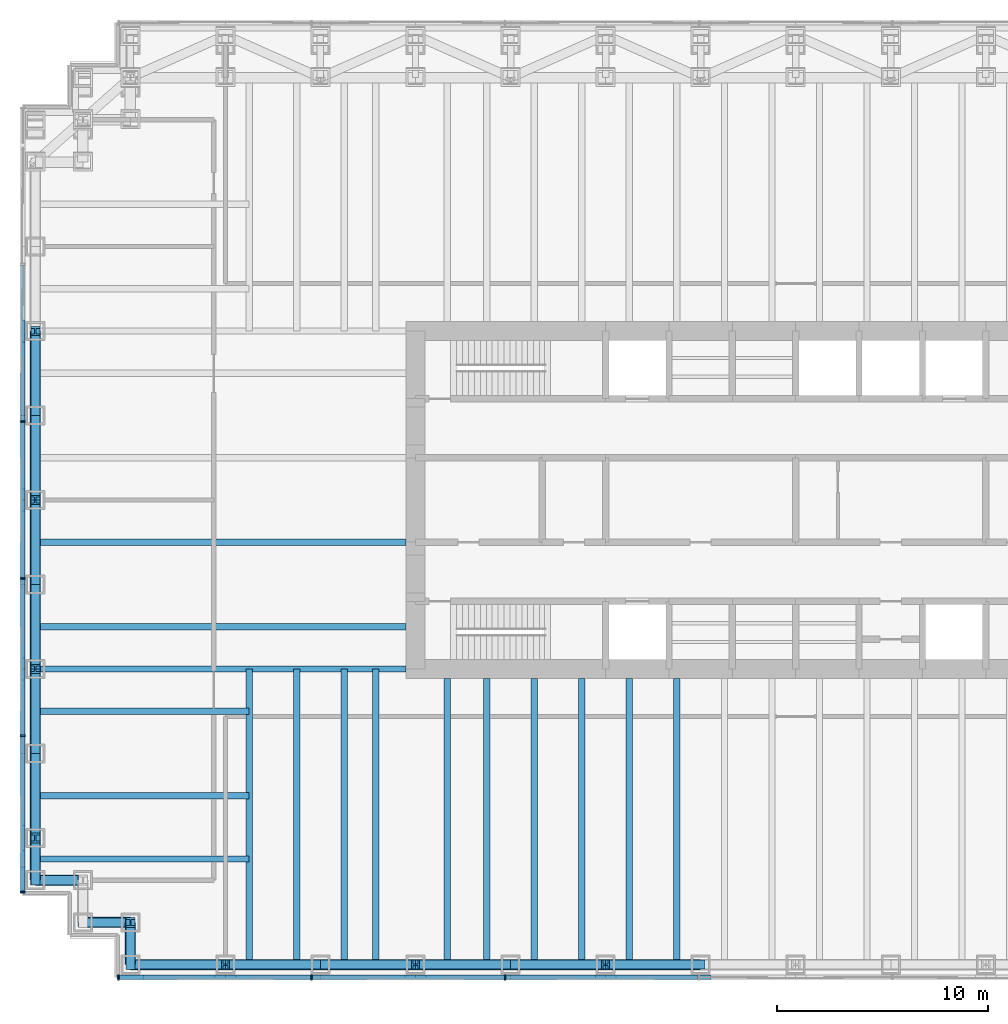
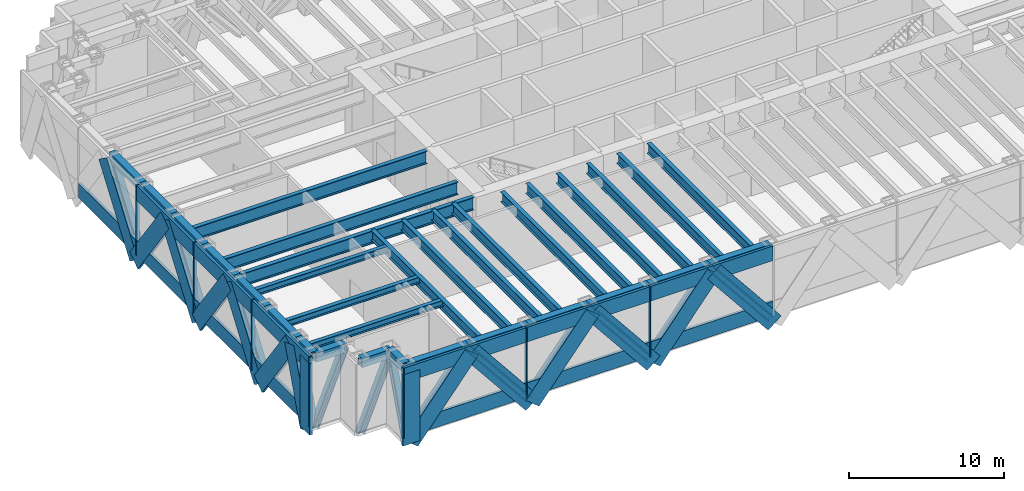
# One storey, part 2 of 16: 51 members, 32 beams, 2 elements without a shape of their own.
"""IFC4 building model written with IfcOpenShell, lengths in metres."""

from ifc_helpers import new_model, si_unit, direction, frame, origin, origin_2d, place, context, subcontext, project, spatial, rectangle, hollow_rectangle, i_section, extrude, material, material_profile, profile_set, type_object, element, aggregate, save


model = new_model("IFC4")

# Units and contexts
model_context = context("Model", 3, precision=1e-05, world=origin(), true_north=direction((0.0, 1.0)))
body_context = subcontext(model_context, "Body", "Model", "MODEL_VIEW")
ifc_project = project(units=[si_unit("LENGTHUNIT", "METRE"), si_unit("AREAUNIT", "SQUARE_METRE"), si_unit("VOLUMEUNIT", "CUBIC_METRE"), si_unit("PLANEANGLEUNIT", "RADIAN"), si_unit("MASSUNIT", "GRAM", prefix="KILO")], contexts=[model_context])

# Site, building, storey
site_placement = place(None, origin())
site = spatial("IfcSite", under=ifc_project, at=site_placement, CompositionType="ELEMENT")
building_placement = place(site_placement, origin())
building = spatial("IfcBuilding", under=site, at=building_placement, Name="Rheinbord Bourse Tower", CompositionType="ELEMENT")
storey_placement = place(building_placement, frame((0.0, 0.0, 180.300048828125)))
storey = spatial("IfcBuildingStorey", under=building, at=storey_placement, Name="L40", CompositionType="ELEMENT", Elevation=180.300048828125)

# Beams
ifc_material_1 = material(Name="Steel S460M", Category="steel")
ifc_material_profile_1 = material_profile(ifc_material_1, hollow_rectangle(XDim=0.5, YDim=0.699951171875, WallThickness=0.0400390625, at=origin_2d()), Name="BOX 700x500x40")
ifc_profile_set_1 = profile_set([ifc_material_profile_1], Name="Steel S460M")
beam_type_1 = type_object("IfcBeamType", Name="BELT CHORD BOX 700x500x40", PredefinedType="SPANDREL", material=ifc_profile_set_1)
for number, where, z_axis, x_axis, name in (
    (1, (4.5, 2.0, 4.989990234375), (1.0, 0.0, 0.0), (0.0, 1.0, 0.0), "Spandrel SW-E-S-9 under L41"),
    (2, (9.0, 2.0, 4.989990234375), (1.0, 0.0, 0.0), (0.0, 1.0, 0.0), "Spandrel S-9-S-13.5 under L41"),
    (3, (13.5, 2.0, 4.989990234375), (1.0, 0.0, 0.0), (0.0, 1.0, 0.0), "Spandrel S-13.5-S-18 under L41"),
    (4, (18.0, 2.0, 4.989990234375), (1.0, 0.0, 0.0), (0.0, 1.0, 0.0), "Spandrel S-18-S-22.5 under L41"),
    (5, (22.5, 2.0, 4.989990234375), (1.0, 0.0, 0.0), (0.0, 1.0, 0.0), "Spandrel S-22.5-S-27 under L41"),
    (6, (27.0, 2.0, 4.989990234375), (1.0, 0.0, 0.0), (0.0, 1.0, 0.0), "Spandrel S-27-S-31.5 under L41"),
):
    element("IfcBeam", number, at=place(storey_placement, frame(where, z_axis=z_axis, x_axis=x_axis)), inside=storey, type_object=beam_type_1, Name=name, PredefinedType="SPANDREL", context=body_context, shape_type="SweptSolid", body=[
        extrude(hollow_rectangle(XDim=0.5, YDim=0.699951171875, WallThickness=0.0400390625, at=origin_2d()), origin(), (0.0, 0.0, 1.0), 4.5),
    ])
for number, where, z_axis, x_axis, name in (
    (7, (0.0, 32.0, 4.989990234375), (0.0, -1.0, 0.0), (1.0, 0.0, 0.0), "Spandrel W-32-W-28 under L41"),
    (8, (0.0, 28.0, 4.989990234375), (0.0, -1.0, 0.0), (1.0, 0.0, 0.0), "Spandrel W-28-W-24 under L41"),
    (9, (0.0, 24.0, 4.989990234375), (0.0, -1.0, 0.0), (1.0, 0.0, 0.0), "Spandrel W-24-W-20 under L41"),
    (10, (0.0, 20.0, 4.989990234375), (0.0, -1.0, 0.0), (1.0, 0.0, 0.0), "Spandrel W-20-W-16 under L41"),
    (11, (0.0, 16.0, 4.989990234375), (0.0, -1.0, 0.0), (1.0, 0.0, 0.0), "Spandrel W-16-W-12 under L41"),
    (12, (0.0, 12.0, 4.989990234375), (0.0, -1.0, 0.0), (1.0, 0.0, 0.0), "Spandrel W-12-W-8 under L41"),
):
    element("IfcBeam", number, at=place(storey_placement, frame(where, z_axis=z_axis, x_axis=x_axis)), inside=storey, type_object=beam_type_1, Name=name, PredefinedType="SPANDREL", context=body_context, shape_type="SweptSolid", body=[
        extrude(hollow_rectangle(XDim=0.5, YDim=0.699951171875, WallThickness=0.0400390625, at=origin_2d()), origin(), (0.0, 0.0, 1.0), 4.0),
    ])
beam_1_placement = place(storey_placement, frame((0.0, 8.0, 4.989990234375), z_axis=(0.0, -1.0, 0.0), x_axis=(1.0, 0.0, 0.0)))
element("IfcBeam", 13, at=beam_1_placement, inside=storey, type_object=beam_type_1, Name="Spandrel W-8-SW-A under L41", PredefinedType="SPANDREL", context=body_context, shape_type="SweptSolid", body=[
    extrude(hollow_rectangle(XDim=0.5, YDim=0.699951171875, WallThickness=0.0400390625, at=origin_2d()), origin(), (0.0, 0.0, 1.0), 2.0),
])
for number, where, z_axis, x_axis, name in (
    (14, (0.0, 6.0, 4.989990234375), (1.0, 0.0, 0.0), (0.0, 1.0, 0.0), "Spandrel SW-A-SW-B under L41"),
    (15, (2.25, 4.0, 4.989990234375), (1.0, 0.0, 0.0), (0.0, 1.0, 0.0), "Spandrel SW-C-SW-D under L41"),
):
    element("IfcBeam", number, at=place(storey_placement, frame(where, z_axis=z_axis, x_axis=x_axis)), inside=storey, type_object=beam_type_1, Name=name, PredefinedType="SPANDREL", context=body_context, shape_type="SweptSolid", body=[
        extrude(hollow_rectangle(XDim=0.5, YDim=0.699951171875, WallThickness=0.0400390625, at=origin_2d()), origin(), (0.0, 0.0, 1.0), 2.25),
    ])
beam_2_placement = place(storey_placement, frame((4.5, 4.0, 4.989990234375), z_axis=(0.0, -1.0, 0.0), x_axis=(1.0, 0.0, 0.0)))
element("IfcBeam", 16, at=beam_2_placement, inside=storey, type_object=beam_type_1, Name="Spandrel SW-D-SW-E under L41", PredefinedType="SPANDREL", context=body_context, shape_type="SweptSolid", body=[
    extrude(hollow_rectangle(XDim=0.5, YDim=0.699951171875, WallThickness=0.0400390625, at=origin_2d()), origin(), (0.0, 0.0, 1.0), 2.0),
])

# Members
ifc_material_2 = material(Name="Steel S460", Category="steel")
ifc_material_profile_2 = material_profile(ifc_material_2, i_section(OverallWidth=0.431884765625, OverallDepth=0.498046875, WebThickness=0.0556640625, FlangeThickness=0.0888671875, at=origin_2d()), Name="HD 400x744")
ifc_profile_set_2 = profile_set([ifc_material_profile_2], Name="Steel S460")
member_type_1 = type_object("IfcMemberType", Name="BELT DIAGONAL HD 400x744", PredefinedType="STRUT", material=ifc_profile_set_2)
for number, where, z_axis, x_axis, name in (
    (17, (4.5, 2.0, -0.60009765625), (0.627065297878, 0.0, 0.778966695178), (0.0, 1.0, 0.0), "Belt truss diagonal SW-E-S-9 L40"),
    (18, (13.5, 2.0, -0.60009765625), (-0.627065297878, 0.0, 0.778966695178), (0.0, -1.0, 0.0), "Belt truss diagonal S-9-S-13.5 L40"),
    (19, (13.5, 2.0, -0.60009765625), (0.627065297878, 0.0, 0.778966695178), (0.0, 1.0, 0.0), "Belt truss diagonal S-13.5-S-18 L40"),
    (20, (22.5, 2.0, -0.60009765625), (-0.627065297878, 0.0, 0.778966695178), (0.0, -1.0, 0.0), "Belt truss diagonal S-18-S-22.5 L40"),
    (21, (22.5, 2.0, -0.60009765625), (0.627065297878, 0.0, 0.778966695178), (0.0, 1.0, 0.0), "Belt truss diagonal S-22.5-S-27 L40"),
    (22, (31.5, 2.0, -0.60009765625), (-0.627065297878, 0.0, 0.778966695178), (0.0, -1.0, 0.0), "Belt truss diagonal S-27-S-31.5 L40"),
):
    element("IfcMember", number, at=place(storey_placement, frame(where, z_axis=z_axis, x_axis=x_axis)), inside=storey, type_object=member_type_1, Name=name, PredefinedType="STRUT", context=body_context, shape_type="SweptSolid", body=[
        extrude(i_section(OverallWidth=0.431884765625, OverallDepth=0.498046875, WebThickness=0.0556640625, FlangeThickness=0.0888671875, at=origin_2d()), origin(), (0.0, 0.0, 1.0), 7.17626953125),
    ])
for number, where, z_axis, x_axis, name in (
    (23, (0.0, 28.0, -0.60009765625), (0.0, 0.581920023079, 0.813246018582), (-1.0, 0.0, 0.0), "Belt truss diagonal W-32-W-28 L40"),
    (24, (0.0, 28.0, -0.60009765625), (0.0, -0.581920023079, 0.813246018582), (1.0, 0.0, 0.0), "Belt truss diagonal W-28-W-24 L40"),
    (25, (0.0, 20.0, -0.60009765625), (0.0, 0.581920023079, 0.813246018582), (-1.0, 0.0, 0.0), "Belt truss diagonal W-24-W-20 L40"),
    (26, (0.0, 20.0, -0.60009765625), (0.0, -0.581920023079, 0.813246018582), (1.0, 0.0, 0.0), "Belt truss diagonal W-20-W-16 L40"),
    (27, (0.0, 12.0, -0.60009765625), (0.0, 0.581920023079, 0.813246018582), (-1.0, 0.0, 0.0), "Belt truss diagonal W-16-W-12 L40"),
    (28, (0.0, 12.0, -0.60009765625), (0.0, -0.581920023079, 0.813246018582), (1.0, 0.0, 0.0), "Belt truss diagonal W-12-W-8 L40"),
):
    element("IfcMember", number, at=place(storey_placement, frame(where, z_axis=z_axis, x_axis=x_axis)), inside=storey, type_object=member_type_1, Name=name, PredefinedType="STRUT", context=body_context, shape_type="SweptSolid", body=[
        extrude(i_section(OverallWidth=0.431884765625, OverallDepth=0.498046875, WebThickness=0.0556640625, FlangeThickness=0.0888671875, at=origin_2d()), origin(), (0.0, 0.0, 1.0), 6.873779296875),
    ])
member_1_placement = place(storey_placement, frame((0.0, 6.0, -0.60009765625), z_axis=(0.0, 0.336865151883, 0.941552903159), x_axis=(-1.0, 0.0, 0.0)))
element("IfcMember", 29, at=member_1_placement, inside=storey, type_object=member_type_1, Name="Belt truss diagonal W-8-SW-A L40", PredefinedType="STRUT", context=body_context, shape_type="SweptSolid", body=[
    extrude(i_section(OverallWidth=0.431884765625, OverallDepth=0.498046875, WebThickness=0.0556640625, FlangeThickness=0.0888671875, at=origin_2d()), origin(), (0.0, 0.0, 1.0), 5.93701171875),
])
for number, where, z_axis, x_axis, name in (
    (30, (0.0, 6.0, -0.60009765625), (0.37338763268, 0.0, 0.92767541509), (0.0, 1.0, 0.0), "Belt truss diagonal SW-A-SW-B L40"),
    (31, (2.25, 4.0, -0.60009765625), (0.37338763268, 0.0, 0.92767541509), (0.0, 1.0, 0.0), "Belt truss diagonal SW-C-SW-D L40"),
):
    element("IfcMember", number, at=place(storey_placement, frame(where, z_axis=z_axis, x_axis=x_axis)), inside=storey, type_object=member_type_1, Name=name, PredefinedType="STRUT", context=body_context, shape_type="SweptSolid", body=[
        extrude(i_section(OverallWidth=0.431884765625, OverallDepth=0.498046875, WebThickness=0.0556640625, FlangeThickness=0.0888671875, at=origin_2d()), origin(), (0.0, 0.0, 1.0), 6.02587890625),
    ])
member_2_placement = place(storey_placement, frame((4.5, 2.0, -0.60009765625), z_axis=(0.0, 0.336865151883, 0.941552903159), x_axis=(-1.0, 0.0, 0.0)))
element("IfcMember", 32, at=member_2_placement, inside=storey, type_object=member_type_1, Name="Belt truss diagonal SW-D-SW-E L40", PredefinedType="STRUT", context=body_context, shape_type="SweptSolid", body=[
    extrude(i_section(OverallWidth=0.431884765625, OverallDepth=0.498046875, WebThickness=0.0556640625, FlangeThickness=0.0888671875, at=origin_2d()), origin(), (0.0, 0.0, 1.0), 5.93701171875),
])

# Curtain wall, members
ifc_material_3 = material(Name="Dark glass and black aluminium", Category="aluminium")
curtain_wall_type = type_object("IfcCurtainWallType", Name="CW5 DARK GLASS CURTAIN WALL", PredefinedType="USERDEFINED", material=ifc_material_3)
curtain_wall_1_placement = place(storey_placement, origin())
curtain_wall_1 = element("IfcCurtainWall", 33, at=curtain_wall_1_placement, inside=storey, type_object=curtain_wall_type, Name="Curtain wall CW5 S L40", ObjectType="UNITISED CURTAIN WALL", PredefinedType="USERDEFINED")
ifc_material_4 = material(Name="Black anodised aluminium", Category="aluminium")
ifc_material_profile_3 = material_profile(ifc_material_4, rectangle(XDim=0.199951171875, YDim=1.259033203125, at=origin_2d()), Name="CW5 DIAGONAL MULLION 1259x200")
ifc_profile_set_3 = profile_set([ifc_material_profile_3], Name="Black anodised aluminium")
member_type_2 = type_object("IfcMemberType", Name="CW5 BLACK DIAGONAL MULLION", PredefinedType="USERDEFINED", material=ifc_profile_set_3)
member_3_placement = place(storey_placement, frame((4.5, 1.39990234375, -0.60009765625), z_axis=(0.627065297878, 0.0, 0.778966695178), x_axis=(0.0, 1.0, 0.0)))
member_3 = element("IfcMember", 34, at=member_3_placement, type_object=member_type_2, Name="CW5 diagonal mullion belt SW-E", ObjectType="DIAGONAL MULLION", PredefinedType="USERDEFINED", context=body_context, shape_type="SweptSolid", body=[
    extrude(rectangle(XDim=0.199951171875, YDim=1.259033203125, at=origin_2d()), origin(), (0.0, 0.0, 1.0), 7.17626953125),
])
member_4_placement = place(storey_placement, frame((13.5, 1.39990234375, -0.60009765625), z_axis=(-0.627065297878, 0.0, 0.778966695178), x_axis=(0.0, -1.0, 0.0)))
member_4 = element("IfcMember", 35, at=member_4_placement, type_object=member_type_2, Name="CW5 diagonal mullion belt S-9", ObjectType="DIAGONAL MULLION", PredefinedType="USERDEFINED", context=body_context, shape_type="SweptSolid", body=[
    extrude(rectangle(XDim=0.199951171875, YDim=1.259033203125, at=origin_2d()), origin(), (0.0, 0.0, 1.0), 7.17626953125),
])
member_5_placement = place(storey_placement, frame((13.5, 1.39990234375, -0.60009765625), z_axis=(0.627065297878, 0.0, 0.778966695178), x_axis=(0.0, 1.0, 0.0)))
member_5 = element("IfcMember", 36, at=member_5_placement, type_object=member_type_2, Name="CW5 diagonal mullion belt S-13.5", ObjectType="DIAGONAL MULLION", PredefinedType="USERDEFINED", context=body_context, shape_type="SweptSolid", body=[
    extrude(rectangle(XDim=0.199951171875, YDim=1.259033203125, at=origin_2d()), origin(), (0.0, 0.0, 1.0), 7.17626953125),
])
member_6_placement = place(storey_placement, frame((22.5, 1.39990234375, -0.60009765625), z_axis=(-0.627065297878, 0.0, 0.778966695178), x_axis=(0.0, -1.0, 0.0)))
member_6 = element("IfcMember", 37, at=member_6_placement, type_object=member_type_2, Name="CW5 diagonal mullion belt S-18", ObjectType="DIAGONAL MULLION", PredefinedType="USERDEFINED", context=body_context, shape_type="SweptSolid", body=[
    extrude(rectangle(XDim=0.199951171875, YDim=1.259033203125, at=origin_2d()), origin(), (0.0, 0.0, 1.0), 7.17626953125),
])
member_7_placement = place(storey_placement, frame((22.5, 1.39990234375, -0.60009765625), z_axis=(0.627065297878, 0.0, 0.778966695178), x_axis=(0.0, 1.0, 0.0)))
member_7 = element("IfcMember", 38, at=member_7_placement, type_object=member_type_2, Name="CW5 diagonal mullion belt S-22.5", ObjectType="DIAGONAL MULLION", PredefinedType="USERDEFINED", context=body_context, shape_type="SweptSolid", body=[
    extrude(rectangle(XDim=0.199951171875, YDim=1.259033203125, at=origin_2d()), origin(), (0.0, 0.0, 1.0), 7.17626953125),
])
member_8_placement = place(storey_placement, frame((31.5, 1.39990234375, -0.60009765625), z_axis=(-0.627065297878, 0.0, 0.778966695178), x_axis=(0.0, -1.0, 0.0)))
member_8 = element("IfcMember", 39, at=member_8_placement, type_object=member_type_2, Name="CW5 diagonal mullion belt S-27", ObjectType="DIAGONAL MULLION", PredefinedType="USERDEFINED", context=body_context, shape_type="SweptSolid", body=[
    extrude(rectangle(XDim=0.199951171875, YDim=1.259033203125, at=origin_2d()), origin(), (0.0, 0.0, 1.0), 7.17626953125),
])
member_9_placement = place(storey_placement, frame((4.5, 1.39990234375, -0.60009765625), z_axis=(0.0, 0.0, 1.0), x_axis=(0.0, 1.0, 0.0)))
member_9 = element("IfcMember", 40, at=member_9_placement, type_object=member_type_2, Name="CW5 diagonal mullion belt SW-D", ObjectType="DIAGONAL MULLION", PredefinedType="USERDEFINED", context=body_context, shape_type="SweptSolid", body=[
    extrude(rectangle(XDim=0.199951171875, YDim=1.259033203125, at=origin_2d()), origin(), (0.0, 0.0, 1.0), 5.590087890625),
])

curtain_wall_2_placement = place(storey_placement, origin())
curtain_wall_2 = element("IfcCurtainWall", 41, at=curtain_wall_2_placement, inside=storey, type_object=curtain_wall_type, Name="Curtain wall CW5 W L40", ObjectType="UNITISED CURTAIN WALL", PredefinedType="USERDEFINED")
member_10_placement = place(storey_placement, frame((-0.60009765625, 28.0, -0.60009765625), z_axis=(0.0, 0.581920023079, 0.813246018582), x_axis=(-1.0, 0.0, 0.0)))
member_10 = element("IfcMember", 42, at=member_10_placement, type_object=member_type_2, Name="CW5 diagonal mullion belt W-32", ObjectType="DIAGONAL MULLION", PredefinedType="USERDEFINED", context=body_context, shape_type="SweptSolid", body=[
    extrude(rectangle(XDim=0.199951171875, YDim=1.259033203125, at=origin_2d()), origin(), (0.0, 0.0, 1.0), 6.873779296875),
])
member_11_placement = place(storey_placement, frame((-0.60009765625, 28.0, -0.60009765625), z_axis=(0.0, -0.581920023079, 0.813246018582), x_axis=(1.0, 0.0, 0.0)))
member_11 = element("IfcMember", 43, at=member_11_placement, type_object=member_type_2, Name="CW5 diagonal mullion belt W-28", ObjectType="DIAGONAL MULLION", PredefinedType="USERDEFINED", context=body_context, shape_type="SweptSolid", body=[
    extrude(rectangle(XDim=0.199951171875, YDim=1.259033203125, at=origin_2d()), origin(), (0.0, 0.0, 1.0), 6.873779296875),
])
member_12_placement = place(storey_placement, frame((-0.60009765625, 20.0, -0.60009765625), z_axis=(0.0, 0.581920023079, 0.813246018582), x_axis=(-1.0, 0.0, 0.0)))
member_12 = element("IfcMember", 44, at=member_12_placement, type_object=member_type_2, Name="CW5 diagonal mullion belt W-24", ObjectType="DIAGONAL MULLION", PredefinedType="USERDEFINED", context=body_context, shape_type="SweptSolid", body=[
    extrude(rectangle(XDim=0.199951171875, YDim=1.259033203125, at=origin_2d()), origin(), (0.0, 0.0, 1.0), 6.873779296875),
])
member_13_placement = place(storey_placement, frame((-0.60009765625, 20.0, -0.60009765625), z_axis=(0.0, -0.581920023079, 0.813246018582), x_axis=(1.0, 0.0, 0.0)))
member_13 = element("IfcMember", 45, at=member_13_placement, type_object=member_type_2, Name="CW5 diagonal mullion belt W-20", ObjectType="DIAGONAL MULLION", PredefinedType="USERDEFINED", context=body_context, shape_type="SweptSolid", body=[
    extrude(rectangle(XDim=0.199951171875, YDim=1.259033203125, at=origin_2d()), origin(), (0.0, 0.0, 1.0), 6.873779296875),
])
member_14_placement = place(storey_placement, frame((-0.60009765625, 12.0, -0.60009765625), z_axis=(0.0, 0.581920023079, 0.813246018582), x_axis=(-1.0, 0.0, 0.0)))
member_14 = element("IfcMember", 46, at=member_14_placement, type_object=member_type_2, Name="CW5 diagonal mullion belt W-16", ObjectType="DIAGONAL MULLION", PredefinedType="USERDEFINED", context=body_context, shape_type="SweptSolid", body=[
    extrude(rectangle(XDim=0.199951171875, YDim=1.259033203125, at=origin_2d()), origin(), (0.0, 0.0, 1.0), 6.873779296875),
])
member_15_placement = place(storey_placement, frame((-0.60009765625, 12.0, -0.60009765625), z_axis=(0.0, -0.581920023079, 0.813246018582), x_axis=(1.0, 0.0, 0.0)))
member_15 = element("IfcMember", 47, at=member_15_placement, type_object=member_type_2, Name="CW5 diagonal mullion belt W-12", ObjectType="DIAGONAL MULLION", PredefinedType="USERDEFINED", context=body_context, shape_type="SweptSolid", body=[
    extrude(rectangle(XDim=0.199951171875, YDim=1.259033203125, at=origin_2d()), origin(), (0.0, 0.0, 1.0), 6.873779296875),
])
member_16_placement = place(storey_placement, frame((-0.60009765625, 6.0, -0.60009765625), z_axis=(0.0, 0.336865151883, 0.941552903159), x_axis=(-1.0, 0.0, 0.0)))
member_16 = element("IfcMember", 48, at=member_16_placement, type_object=member_type_2, Name="CW5 diagonal mullion belt W-8", ObjectType="DIAGONAL MULLION", PredefinedType="USERDEFINED", context=body_context, shape_type="SweptSolid", body=[
    extrude(rectangle(XDim=0.199951171875, YDim=1.259033203125, at=origin_2d()), origin(), (0.0, 0.0, 1.0), 5.93701171875),
])
member_17_placement = place(storey_placement, frame((-0.60009765625, 6.0, -0.60009765625), z_axis=(0.0, 0.0, 1.0), x_axis=(1.0, 0.0, 0.0)))
member_17 = element("IfcMember", 49, at=member_17_placement, type_object=member_type_2, Name="CW5 diagonal mullion belt SW-A", ObjectType="DIAGONAL MULLION", PredefinedType="USERDEFINED", context=body_context, shape_type="SweptSolid", body=[
    extrude(rectangle(XDim=0.199951171875, YDim=1.259033203125, at=origin_2d()), origin(), (0.0, 0.0, 1.0), 5.590087890625),
])

# Member
ifc_material_5 = material(Name="Black anodised aluminium", Category="aluminium")
ifc_material_profile_4 = material_profile(ifc_material_5, rectangle(XDim=0.25, YDim=0.080078125, at=origin_2d()), Name="CW5 MULLION 80x250")
ifc_profile_set_4 = profile_set([ifc_material_profile_4], Name="Black anodised aluminium")
member_type_3 = type_object("IfcMemberType", Name="CW5 BLACK MULLION", PredefinedType="MULLION", material=ifc_profile_set_4)
member_18_placement = place(storey_placement, frame((3.93994140625, 1.39990234375, 0.0), z_axis=(0.0, 0.0, 1.0), x_axis=(0.0, 1.0, 0.0)))
member_18 = element("IfcMember", 50, at=member_18_placement, type_object=member_type_3, Name="CW5 mullion 1", PredefinedType="MULLION", context=body_context, shape_type="SweptSolid", body=[
    extrude(rectangle(XDim=0.25, YDim=0.080078125, at=origin_2d()), origin(), (0.0, 0.0, 1.0), 5.5),
])

member_19_placement = place(storey_placement, frame((13.071533203125, 1.39990234375, 0.0), z_axis=(0.0, 0.0, 1.0), x_axis=(0.0, 1.0, 0.0)))
member_19 = element("IfcMember", 51, at=member_19_placement, type_object=member_type_3, Name="CW5 mullion 2", PredefinedType="MULLION", context=body_context, shape_type="SweptSolid", body=[
    extrude(rectangle(XDim=0.25, YDim=0.080078125, at=origin_2d()), origin(), (0.0, 0.0, 1.0), 5.5),
])

member_20_placement = place(storey_placement, frame((22.242919921875, 1.39990234375, 0.0), z_axis=(0.0, 0.0, 1.0), x_axis=(0.0, 1.0, 0.0)))
member_20 = element("IfcMember", 52, at=member_20_placement, type_object=member_type_3, Name="CW5 mullion 3", PredefinedType="MULLION", context=body_context, shape_type="SweptSolid", body=[
    extrude(rectangle(XDim=0.25, YDim=0.080078125, at=origin_2d()), origin(), (0.0, 0.0, 1.0), 5.5),
])

member_21_placement = place(storey_placement, frame((-0.60009765625, 27.719970703125, 0.0), z_axis=(0.0, 0.0, 1.0), x_axis=(1.0, 0.0, 0.0)))
member_21 = element("IfcMember", 53, at=member_21_placement, type_object=member_type_3, Name="CW5 mullion 3", PredefinedType="MULLION", context=body_context, shape_type="SweptSolid", body=[
    extrude(rectangle(XDim=0.25, YDim=0.080078125, at=origin_2d()), origin(), (0.0, 0.0, 1.0), 5.5),
])

member_22_placement = place(storey_placement, frame((-0.60009765625, 20.280029296875, 0.0), z_axis=(0.0, 0.0, 1.0), x_axis=(1.0, 0.0, 0.0)))
member_22 = element("IfcMember", 54, at=member_22_placement, type_object=member_type_3, Name="CW5 mullion 4", PredefinedType="MULLION", context=body_context, shape_type="SweptSolid", body=[
    extrude(rectangle(XDim=0.25, YDim=0.080078125, at=origin_2d()), origin(), (0.0, 0.0, 1.0), 5.5),
])

member_23_placement = place(storey_placement, frame((-0.60009765625, 12.840087890625, 0.0), z_axis=(0.0, 0.0, 1.0), x_axis=(1.0, 0.0, 0.0)))
member_23 = element("IfcMember", 55, at=member_23_placement, type_object=member_type_3, Name="CW5 mullion 5", PredefinedType="MULLION", context=body_context, shape_type="SweptSolid", body=[
    extrude(rectangle(XDim=0.25, YDim=0.080078125, at=origin_2d()), origin(), (0.0, 0.0, 1.0), 5.5),
])

member_24_placement = place(storey_placement, frame((-0.60009765625, 5.43994140625, 0.0), z_axis=(0.0, 0.0, 1.0), x_axis=(1.0, 0.0, 0.0)))
member_24 = element("IfcMember", 56, at=member_24_placement, type_object=member_type_3, Name="CW5 mullion 6", PredefinedType="MULLION", context=body_context, shape_type="SweptSolid", body=[
    extrude(rectangle(XDim=0.25, YDim=0.080078125, at=origin_2d()), origin(), (0.0, 0.0, 1.0), 5.5),
])

ifc_material_6 = material(Name="Black anodised aluminium", Category="aluminium")
ifc_material_profile_5 = material_profile(ifc_material_6, rectangle(XDim=0.199951171875, YDim=1.14990234375, at=origin_2d()), Name="CW5 TRANSOM 1150x200")
ifc_profile_set_5 = profile_set([ifc_material_profile_5], Name="Black anodised aluminium")
member_type_4 = type_object("IfcMemberType", Name="CW5 BLACK TRANSOM", PredefinedType="USERDEFINED", material=ifc_profile_set_5)
member_25_placement = place(storey_placement, frame((3.97998046875, 1.39990234375, 0.574951171875), z_axis=(1.0, 0.0, 0.0), x_axis=(0.0, 1.0, 0.0)))
member_25 = element("IfcMember", 57, at=member_25_placement, type_object=member_type_4, Name="CW5 transom 1.1", ObjectType="TRANSOM", PredefinedType="USERDEFINED", context=body_context, shape_type="SweptSolid", body=[
    extrude(rectangle(XDim=0.199951171875, YDim=1.14990234375, at=origin_2d()), origin(), (0.0, 0.0, 1.0), 9.051513671875),
])

member_26_placement = place(storey_placement, frame((3.97998046875, 1.39990234375, 4.925048828125), z_axis=(1.0, 0.0, 0.0), x_axis=(0.0, 1.0, 0.0)))
member_26 = element("IfcMember", 58, at=member_26_placement, type_object=member_type_4, Name="CW5 transom 1.2", ObjectType="TRANSOM", PredefinedType="USERDEFINED", context=body_context, shape_type="SweptSolid", body=[
    extrude(rectangle(XDim=0.199951171875, YDim=1.14990234375, at=origin_2d()), origin(), (0.0, 0.0, 1.0), 9.051513671875),
])

member_27_placement = place(storey_placement, frame((13.111328125, 1.39990234375, 0.574951171875), z_axis=(1.0, 0.0, 0.0), x_axis=(0.0, 1.0, 0.0)))
member_27 = element("IfcMember", 59, at=member_27_placement, type_object=member_type_4, Name="CW5 transom 2.1", ObjectType="TRANSOM", PredefinedType="USERDEFINED", context=body_context, shape_type="SweptSolid", body=[
    extrude(rectangle(XDim=0.199951171875, YDim=1.14990234375, at=origin_2d()), origin(), (0.0, 0.0, 1.0), 9.091552734375),
])

member_28_placement = place(storey_placement, frame((13.111328125, 1.39990234375, 4.925048828125), z_axis=(1.0, 0.0, 0.0), x_axis=(0.0, 1.0, 0.0)))
member_28 = element("IfcMember", 60, at=member_28_placement, type_object=member_type_4, Name="CW5 transom 2.2", ObjectType="TRANSOM", PredefinedType="USERDEFINED", context=body_context, shape_type="SweptSolid", body=[
    extrude(rectangle(XDim=0.199951171875, YDim=1.14990234375, at=origin_2d()), origin(), (0.0, 0.0, 1.0), 9.091552734375),
])

member_29_placement = place(storey_placement, frame((22.282958984375, 1.39990234375, 0.574951171875), z_axis=(1.0, 0.0, 0.0), x_axis=(0.0, 1.0, 0.0)))
member_29 = element("IfcMember", 61, at=member_29_placement, type_object=member_type_4, Name="CW5 transom 3.1", ObjectType="TRANSOM", PredefinedType="USERDEFINED", context=body_context, shape_type="SweptSolid", body=[
    extrude(rectangle(XDim=0.199951171875, YDim=1.14990234375, at=origin_2d()), origin(), (0.0, 0.0, 1.0), 9.09130859375),
])

member_30_placement = place(storey_placement, frame((22.282958984375, 1.39990234375, 4.925048828125), z_axis=(1.0, 0.0, 0.0), x_axis=(0.0, 1.0, 0.0)))
member_30 = element("IfcMember", 62, at=member_30_placement, type_object=member_type_4, Name="CW5 transom 3.2", ObjectType="TRANSOM", PredefinedType="USERDEFINED", context=body_context, shape_type="SweptSolid", body=[
    extrude(rectangle(XDim=0.199951171875, YDim=1.14990234375, at=origin_2d()), origin(), (0.0, 0.0, 1.0), 9.09130859375),
])

aggregate(curtain_wall_1, [member_18, member_19, member_20, member_25, member_26, member_27, member_28, member_29, member_30, member_3, member_4, member_5, member_6, member_7, member_8, member_9])

member_31_placement = place(storey_placement, frame((-0.60009765625, 35.1201171875, 0.574951171875), z_axis=(0.0, -1.0, 0.0), x_axis=(1.0, 0.0, 0.0)))
member_31 = element("IfcMember", 63, at=member_31_placement, type_object=member_type_4, Name="CW5 transom 2.1", ObjectType="TRANSOM", PredefinedType="USERDEFINED", context=body_context, shape_type="SweptSolid", body=[
    extrude(rectangle(XDim=0.199951171875, YDim=1.14990234375, at=origin_2d()), origin(), (0.0, 0.0, 1.0), 7.360107421875),
])

member_32_placement = place(storey_placement, frame((-0.60009765625, 27.679931640625, 0.574951171875), z_axis=(0.0, -1.0, 0.0), x_axis=(1.0, 0.0, 0.0)))
member_32 = element("IfcMember", 64, at=member_32_placement, type_object=member_type_4, Name="CW5 transom 3.1", ObjectType="TRANSOM", PredefinedType="USERDEFINED", context=body_context, shape_type="SweptSolid", body=[
    extrude(rectangle(XDim=0.199951171875, YDim=1.14990234375, at=origin_2d()), origin(), (0.0, 0.0, 1.0), 7.35986328125),
])

member_33_placement = place(storey_placement, frame((-0.60009765625, 27.679931640625, 4.925048828125), z_axis=(0.0, -1.0, 0.0), x_axis=(1.0, 0.0, 0.0)))
member_33 = element("IfcMember", 65, at=member_33_placement, type_object=member_type_4, Name="CW5 transom 3.2", ObjectType="TRANSOM", PredefinedType="USERDEFINED", context=body_context, shape_type="SweptSolid", body=[
    extrude(rectangle(XDim=0.199951171875, YDim=1.14990234375, at=origin_2d()), origin(), (0.0, 0.0, 1.0), 7.35986328125),
])

member_34_placement = place(storey_placement, frame((-0.60009765625, 20.239990234375, 0.574951171875), z_axis=(0.0, -1.0, 0.0), x_axis=(1.0, 0.0, 0.0)))
member_34 = element("IfcMember", 66, at=member_34_placement, type_object=member_type_4, Name="CW5 transom 4.1", ObjectType="TRANSOM", PredefinedType="USERDEFINED", context=body_context, shape_type="SweptSolid", body=[
    extrude(rectangle(XDim=0.199951171875, YDim=1.14990234375, at=origin_2d()), origin(), (0.0, 0.0, 1.0), 7.360107421875),
])

member_35_placement = place(storey_placement, frame((-0.60009765625, 20.239990234375, 4.925048828125), z_axis=(0.0, -1.0, 0.0), x_axis=(1.0, 0.0, 0.0)))
member_35 = element("IfcMember", 67, at=member_35_placement, type_object=member_type_4, Name="CW5 transom 4.2", ObjectType="TRANSOM", PredefinedType="USERDEFINED", context=body_context, shape_type="SweptSolid", body=[
    extrude(rectangle(XDim=0.199951171875, YDim=1.14990234375, at=origin_2d()), origin(), (0.0, 0.0, 1.0), 7.360107421875),
])

member_36_placement = place(storey_placement, frame((-0.60009765625, 12.800048828125, 0.574951171875), z_axis=(0.0, -1.0, 0.0), x_axis=(1.0, 0.0, 0.0)))
member_36 = element("IfcMember", 68, at=member_36_placement, type_object=member_type_4, Name="CW5 transom 5.1", ObjectType="TRANSOM", PredefinedType="USERDEFINED", context=body_context, shape_type="SweptSolid", body=[
    extrude(rectangle(XDim=0.199951171875, YDim=1.14990234375, at=origin_2d()), origin(), (0.0, 0.0, 1.0), 7.320068359375),
])

member_37_placement = place(storey_placement, frame((-0.60009765625, 12.800048828125, 4.925048828125), z_axis=(0.0, -1.0, 0.0), x_axis=(1.0, 0.0, 0.0)))
member_37 = element("IfcMember", 69, at=member_37_placement, type_object=member_type_4, Name="CW5 transom 5.2", ObjectType="TRANSOM", PredefinedType="USERDEFINED", context=body_context, shape_type="SweptSolid", body=[
    extrude(rectangle(XDim=0.199951171875, YDim=1.14990234375, at=origin_2d()), origin(), (0.0, 0.0, 1.0), 7.320068359375),
])

aggregate(curtain_wall_2, [member_21, member_22, member_23, member_24, member_31, member_32, member_33, member_34, member_35, member_36, member_37, member_10, member_11, member_12, member_13, member_14, member_15, member_16, member_17])

# Beams
ifc_material_7 = material(Name="Steel S460", Category="steel")
ifc_material_profile_6 = material_profile(ifc_material_7, i_section(OverallWidth=0.302001953125, OverallDepth=1.008056640625, WebThickness=0.02099609375, FlangeThickness=0.0400390625, at=origin_2d()), Name="HEM 1000")
ifc_profile_set_6 = profile_set([ifc_material_profile_6], Name="Steel S460")
beam_type_2 = type_object("IfcBeamType", Name="END BEAM HEM 1000", PredefinedType="BEAM", material=ifc_profile_set_6)
for number, where, z_axis, x_axis, name in (
    (70, (0.0, 18.0, 4.8359375), (1.0, 0.0, 0.0), (0.0, 1.0, 0.0), "End beam west 18 L41"),
    (71, (0.0, 22.0, 4.8359375), (1.0, 0.0, 0.0), (0.0, 1.0, 0.0), "End beam west 22 L41"),
):
    element("IfcBeam", number, at=place(storey_placement, frame(where, z_axis=z_axis, x_axis=x_axis)), inside=storey, type_object=beam_type_2, Name=name, PredefinedType="BEAM", context=body_context, shape_type="SweptSolid", body=[
        extrude(i_section(OverallWidth=0.302001953125, OverallDepth=1.008056640625, WebThickness=0.02099609375, FlangeThickness=0.0400390625, at=origin_2d()), origin(), (0.0, 0.0, 1.0), 17.550048828125),
    ])
ifc_material_8 = material(Name="Steel S460", Category="steel")
ifc_material_profile_7 = material_profile(ifc_material_8, i_section(OverallWidth=0.300048828125, OverallDepth=0.800048828125, WebThickness=0.017578125, FlangeThickness=0.032958984375, at=origin_2d()), Name="HEB 800")
ifc_profile_set_7 = profile_set([ifc_material_profile_7], Name="Steel S460")
beam_type_3 = type_object("IfcBeamType", Name="FLOOR BEAM HEB 800", PredefinedType="BEAM", material=ifc_profile_set_7)
for number, where, z_axis, x_axis, name in (
    (72, (10.125, 2.0, 4.93994140625), (0.0, 1.0, 0.0), (-1.0, 0.0, 0.0), "Floor beam S-9a L41"),
    (73, (12.375, 2.0, 4.93994140625), (0.0, 1.0, 0.0), (-1.0, 0.0, 0.0), "Floor beam S-9b L41"),
    (74, (14.625, 2.0, 4.93994140625), (0.0, 1.0, 0.0), (-1.0, 0.0, 0.0), "Floor beam S-13.5a L41"),
    (75, (16.125, 2.0, 4.93994140625), (0.0, 1.0, 0.0), (-1.0, 0.0, 0.0), "Floor beam S-13.5b L41"),
):
    element("IfcBeam", number, at=place(storey_placement, frame(where, z_axis=z_axis, x_axis=x_axis)), inside=storey, type_object=beam_type_3, Name=name, PredefinedType="BEAM", context=body_context, shape_type="SweptSolid", body=[
        extrude(i_section(OverallWidth=0.300048828125, OverallDepth=0.800048828125, WebThickness=0.017578125, FlangeThickness=0.032958984375, at=origin_2d()), origin(), (0.0, 0.0, 1.0), 14.0),
    ])
for number, where, z_axis, x_axis, name in (
    (76, (19.5, 2.0, 4.93994140625), (0.0, 1.0, 0.0), (-1.0, 0.0, 0.0), "Floor beam S-18a L41"),
    (77, (21.375, 2.0, 4.93994140625), (0.0, 1.0, 0.0), (-1.0, 0.0, 0.0), "Floor beam S-18b L41"),
    (78, (23.625, 2.0, 4.93994140625), (0.0, 1.0, 0.0), (-1.0, 0.0, 0.0), "Floor beam S-22.5a L41"),
    (79, (25.875, 2.0, 4.93994140625), (0.0, 1.0, 0.0), (-1.0, 0.0, 0.0), "Floor beam S-22.5b L41"),
    (80, (28.125, 2.0, 4.93994140625), (0.0, 1.0, 0.0), (-1.0, 0.0, 0.0), "Floor beam S-27a L41"),
    (81, (30.375, 2.0, 4.93994140625), (0.0, 1.0, 0.0), (-1.0, 0.0, 0.0), "Floor beam S-27b L41"),
):
    element("IfcBeam", number, at=place(storey_placement, frame(where, z_axis=z_axis, x_axis=x_axis)), inside=storey, type_object=beam_type_3, Name=name, PredefinedType="BEAM", context=body_context, shape_type="SweptSolid", body=[
        extrude(i_section(OverallWidth=0.300048828125, OverallDepth=0.800048828125, WebThickness=0.017578125, FlangeThickness=0.032958984375, at=origin_2d()), origin(), (0.0, 0.0, 1.0), 13.550048828125),
    ])
ifc_material_9 = material(Name="Steel S460", Category="steel")
ifc_material_profile_8 = material_profile(ifc_material_9, i_section(OverallWidth=0.302001953125, OverallDepth=1.008056640625, WebThickness=0.02099609375, FlangeThickness=0.0400390625, at=origin_2d()), Name="HEM 1000")
ifc_profile_set_8 = profile_set([ifc_material_profile_8], Name="Steel S460")
beam_type_4 = type_object("IfcBeamType", Name="GIRDER HEM 1000", PredefinedType="BEAM", material=ifc_profile_set_8)
beam_3_placement = place(storey_placement, frame((0.0, 16.0, 4.8359375), z_axis=(1.0, 0.0, 0.0), x_axis=(0.0, 1.0, 0.0)))
element("IfcBeam", 82, at=beam_3_placement, inside=storey, type_object=beam_type_4, Name="Girder west 16 L41", PredefinedType="BEAM", context=body_context, shape_type="SweptSolid", body=[
    extrude(i_section(OverallWidth=0.302001953125, OverallDepth=1.008056640625, WebThickness=0.02099609375, FlangeThickness=0.0400390625, at=origin_2d()), origin(), (0.0, 0.0, 1.0), 17.550048828125),
])
ifc_material_10 = material(Name="Steel S460", Category="steel")
ifc_material_profile_9 = material_profile(ifc_material_10, i_section(OverallWidth=0.300048828125, OverallDepth=0.5, WebThickness=0.014404296875, FlangeThickness=0.028076171875, at=origin_2d()), Name="HEB 500")
ifc_profile_set_9 = profile_set([ifc_material_profile_9], Name="Steel S460")
beam_type_5 = type_object("IfcBeamType", Name="TIE BEAM HEB 500", PredefinedType="JOIST", material=ifc_profile_set_9)
for number, where, z_axis, x_axis, name in (
    (83, (0.0, 7.0, 5.08984375), (1.0, 0.0, 0.0), (0.0, 1.0, 0.0), "Tie west 7 L41"),
    (84, (0.0, 10.0, 5.08984375), (1.0, 0.0, 0.0), (0.0, 1.0, 0.0), "Tie west 10 L41"),
    (85, (0.0, 14.0, 5.08984375), (1.0, 0.0, 0.0), (0.0, 1.0, 0.0), "Tie west 14 L41"),
):
    element("IfcBeam", number, at=place(storey_placement, frame(where, z_axis=z_axis, x_axis=x_axis)), inside=storey, type_object=beam_type_5, Name=name, PredefinedType="JOIST", context=body_context, shape_type="SweptSolid", body=[
        extrude(i_section(OverallWidth=0.300048828125, OverallDepth=0.5, WebThickness=0.014404296875, FlangeThickness=0.028076171875, at=origin_2d()), origin(), (0.0, 0.0, 1.0), 10.125),
    ])

save(model, "model.ifc")
